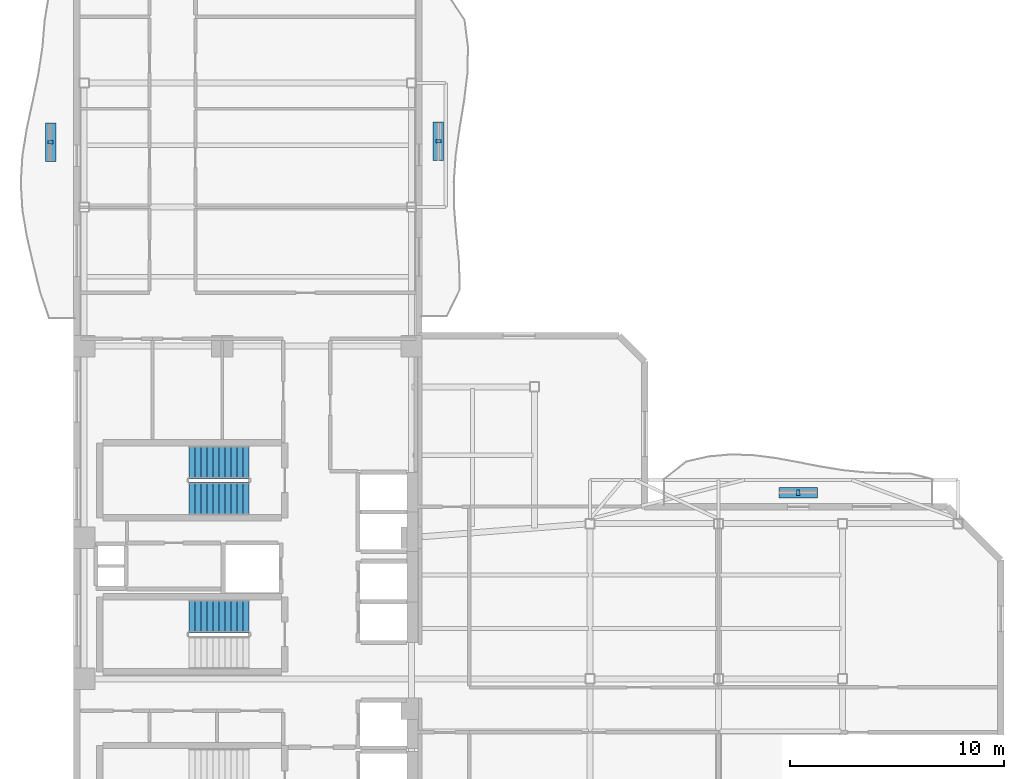
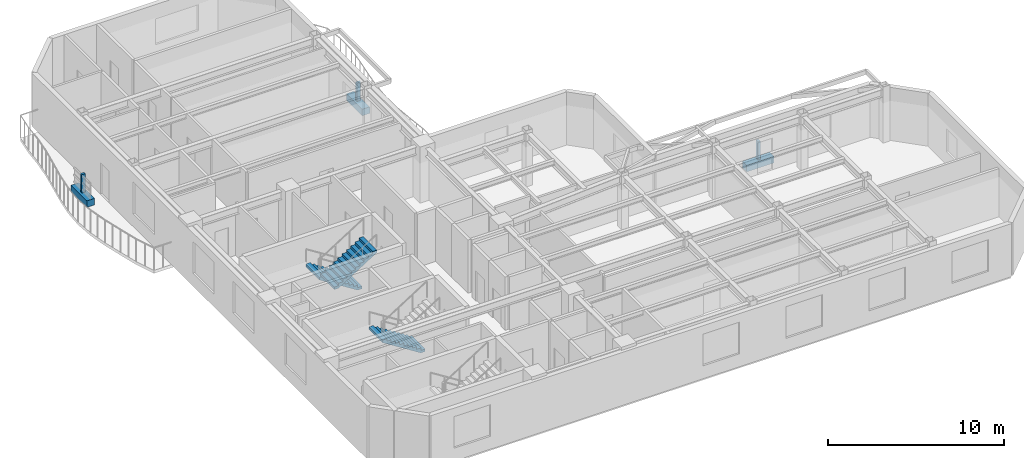
# One storey, part 6 of 8: 6 discrete accessories, 3 stair flights, 2 elements without a shape of their own.
"""IFC4 building model written with IfcOpenShell, lengths in metres."""

from ifc_helpers import new_model, si_unit, direction, frame, origin, origin_2d, place, context, subcontext, project, spatial, polyline, rectangle, outline, extrude, material, type_object, element, aggregate, save


model = new_model("IFC4")

# Units and contexts
model_context = context("Model", 3, precision=1e-05, world=origin(), true_north=direction((0.0, 1.0)))
body_context = subcontext(model_context, "Body", "Model", "MODEL_VIEW")
ifc_project = project(units=[si_unit("LENGTHUNIT", "METRE"), si_unit("AREAUNIT", "SQUARE_METRE"), si_unit("VOLUMEUNIT", "CUBIC_METRE"), si_unit("PLANEANGLEUNIT", "RADIAN"), si_unit("MASSUNIT", "GRAM", prefix="KILO")], contexts=[model_context])

# Site, building, storey
site_placement = place(None, origin())
site = spatial("IfcSite", under=ifc_project, at=site_placement, CompositionType="ELEMENT")
building_placement = place(site_placement, origin())
building = spatial("IfcBuilding", under=site, at=building_placement, Name="Mawjaban Terraces University", CompositionType="ELEMENT")
storey_placement = place(building_placement, frame((0.0, 0.0, 191.39990234375)))
storey = spatial("IfcBuildingStorey", under=building, at=storey_placement, Name="L46", CompositionType="ELEMENT", Elevation=191.39990234375)

# Stair, stair flights
ifc_material_1 = material(Name="Concrete C40/50", Category="concrete")
stair_type = type_object("IfcStairType", Name="Stair_Core1550_H39", PredefinedType="HALF_TURN_STAIR", material=ifc_material_1)
stair_1_placement = place(storey_placement, origin())
stair_1 = element("IfcStair", 1, at=stair_1_placement, inside=storey, type_object=stair_type, Name="L46 Core Exit Stair 2", PredefinedType="HALF_TURN_STAIR")
stair_flight_type = type_object("IfcStairFlightType", Name="Flight_Core1550_H39", PredefinedType="STRAIGHT", material=ifc_material_1)
stair_flight_1_placement = place(storey_placement, frame((30.050048828125, 18.074951171875, 0.0), z_axis=(0.0, 0.0, 1.0), x_axis=(-1.0, 0.0, 0.0)))
stair_flight_1 = element("IfcStairFlight", 2, at=stair_flight_1_placement, type_object=stair_flight_type, Name="ST-2 flight 1", NumberOfRisers=11, NumberOfTreads=10, PredefinedType="STRAIGHT", RiserHeight=0.177272727, TreadLength=0.28, context=body_context, shape_type="SweptSolid", body=[
    extrude(outline(polyline([(0.0, 0.0), (0.0, 0.17724609375), (0.280029296875, 0.17724609375), (0.280029296875, 0.3544921875), (0.56005859375, 0.3544921875), (0.56005859375, 0.53173828125), (0.840087890625, 0.53173828125), (0.840087890625, 0.708984375), (1.1201171875, 0.708984375), (1.1201171875, 0.886474609375), (1.39990234375, 0.886474609375), (1.39990234375, 1.063720703125), (1.679931640625, 1.063720703125), (1.679931640625, 1.240966796875), (1.9599609375, 1.240966796875), (1.9599609375, 1.418212890625), (2.239990234375, 1.418212890625), (2.239990234375, 1.595458984375), (2.52001953125, 1.595458984375), (2.52001953125, 1.772705078125), (2.800048828125, 1.772705078125), (2.800048828125, 1.949951171875), (2.800048828125, 1.59521484375), (0.2802734375, 0.0), (0.0, 0.0)])), frame((0.0, 0.77490234375, 0.0), z_axis=(0.0, -1.0, 0.0), x_axis=(1.0, 0.0, 0.0)), (0.0, 0.0, 1.0), 1.550048828125),
])
stair_flight_2_placement = place(storey_placement, frame((27.25, 16.375, 1.9501953125), z_axis=(0.0, 0.0, 1.0), x_axis=(1.0, 0.0, 0.0)))
stair_flight_2 = element("IfcStairFlight", 3, at=stair_flight_2_placement, type_object=stair_flight_type, Name="ST-2 flight 2", NumberOfRisers=11, NumberOfTreads=10, PredefinedType="STRAIGHT", RiserHeight=0.177272727, TreadLength=0.28, context=body_context, shape_type="SweptSolid", body=[
    extrude(outline(polyline([(0.0, 0.0), (0.0, 0.17724609375), (0.280029296875, 0.17724609375), (0.280029296875, 0.3544921875), (0.56005859375, 0.3544921875), (0.56005859375, 0.53173828125), (0.840087890625, 0.53173828125), (0.840087890625, 0.708984375), (1.1201171875, 0.708984375), (1.1201171875, 0.886474609375), (1.39990234375, 0.886474609375), (1.39990234375, 1.063720703125), (1.679931640625, 1.063720703125), (1.679931640625, 1.240966796875), (1.9599609375, 1.240966796875), (1.9599609375, 1.418212890625), (2.239990234375, 1.418212890625), (2.239990234375, 1.595458984375), (2.52001953125, 1.595458984375), (2.52001953125, 1.772705078125), (2.800048828125, 1.772705078125), (2.800048828125, 1.949951171875), (2.800048828125, 1.59521484375), (0.2802734375, 0.0), (0.0, 0.0)])), frame((0.0, 0.77490234375, 0.0), z_axis=(0.0, -1.0, 0.0), x_axis=(1.0, 0.0, 0.0)), (0.0, 0.0, 1.0), 1.550048828125),
])
aggregate(stair_1, [stair_flight_1, stair_flight_2])

# Stair, stair flight
stair_2_placement = place(storey_placement, origin())
stair_2 = element("IfcStair", 4, at=stair_2_placement, inside=storey, type_object=stair_type, Name="L46 Core Exit Stair 3", PredefinedType="HALF_TURN_STAIR")
stair_flight_3_placement = place(storey_placement, frame((30.050048828125, 10.875, 0.0), z_axis=(0.0, 0.0, 1.0), x_axis=(-1.0, 0.0, 0.0)))
stair_flight_3 = element("IfcStairFlight", 5, at=stair_flight_3_placement, type_object=stair_flight_type, Name="ST-3 flight 1", NumberOfRisers=11, NumberOfTreads=10, PredefinedType="STRAIGHT", RiserHeight=0.177272727, TreadLength=0.28, context=body_context, shape_type="SweptSolid", body=[
    extrude(outline(polyline([(0.0, 0.0), (0.0, 0.17724609375), (0.280029296875, 0.17724609375), (0.280029296875, 0.3544921875), (0.56005859375, 0.3544921875), (0.56005859375, 0.53173828125), (0.840087890625, 0.53173828125), (0.840087890625, 0.708984375), (1.1201171875, 0.708984375), (1.1201171875, 0.886474609375), (1.39990234375, 0.886474609375), (1.39990234375, 1.063720703125), (1.679931640625, 1.063720703125), (1.679931640625, 1.240966796875), (1.9599609375, 1.240966796875), (1.9599609375, 1.418212890625), (2.239990234375, 1.418212890625), (2.239990234375, 1.595458984375), (2.52001953125, 1.595458984375), (2.52001953125, 1.772705078125), (2.800048828125, 1.772705078125), (2.800048828125, 1.949951171875), (2.800048828125, 1.59521484375), (0.2802734375, 0.0), (0.0, 0.0)])), frame((0.0, 0.77490234375, 0.0), z_axis=(0.0, -1.0, 0.0), x_axis=(1.0, 0.0, 0.0)), (0.0, 0.0, 1.0), 1.550048828125),
])
aggregate(stair_2, [stair_flight_3])

# Discrete accessories
ifc_material_2 = material(Name="Stainless steel 316L", Category="steel")
discrete_accessory_type_1 = type_object("IfcDiscreteAccessoryType", Name="FacadeScreenBracket_Steel", PredefinedType="BRACKET", material=ifc_material_2)
for number, where, z_axis, x_axis, name in (
    (6, (20.779052734375, 33.033935546875, 0.419921875), (0.0, 0.0, 1.0), (0.0, 1.0, 0.0), "L46 Balcony Screen Support Bracket west"),
    (7, (55.72509765625, 16.64501953125, 0.419921875), (0.0, 0.0, 1.0), (1.0, 0.0, 0.0), "L46 Balcony Screen Support Bracket inner_north"),
    (8, (38.904052734375, 33.073974609375, 0.419921875), (0.0, 0.0, 1.0), (0.0, 1.0, 0.0), "L46 Balcony Screen Support Bracket inner_east"),
):
    element("IfcDiscreteAccessory", number, at=place(storey_placement, frame(where, z_axis=z_axis, x_axis=x_axis)), inside=storey, type_object=discrete_accessory_type_1, Name=name, PredefinedType="BRACKET", context=body_context, shape_type="SweptSolid", body=[
        extrude(rectangle(XDim=0.159912109375, YDim=0.239990234375, at=origin_2d()), origin(), (0.0, 0.0, 1.0), 1.300048828125),
    ])
ifc_material_3 = material(Name="Precast architectural terracotta planter with engineered planting soil", Category="masonry")
discrete_accessory_type_2 = type_object("IfcDiscreteAccessoryType", Name="IrrigatedPlanterTrough_450", PredefinedType="USERDEFINED", material=ifc_material_3)
for number, where, z_axis, x_axis, name in (
    (9, (20.779052734375, 33.033935546875, -0.0048828125), (0.0, 0.0, 1.0), (0.0, 1.0, 0.0), "L46 Balcony Irrigated Planter west"),
    (10, (55.72509765625, 16.64501953125, -0.0048828125), (0.0, 0.0, 1.0), (1.0, 0.0, 0.0), "L46 Balcony Irrigated Planter inner_north"),
    (11, (38.904052734375, 33.073974609375, -0.0048828125), (0.0, 0.0, 1.0), (0.0, 1.0, 0.0), "L46 Balcony Irrigated Planter inner_east"),
):
    element("IfcDiscreteAccessory", number, at=place(storey_placement, frame(where, z_axis=z_axis, x_axis=x_axis)), inside=storey, type_object=discrete_accessory_type_2, Name=name, ObjectType="PLANTER", PredefinedType="USERDEFINED", context=body_context, shape_type="SweptSolid", body=[
        extrude(rectangle(XDim=1.800048828125, YDim=0.5, at=origin_2d()), origin(), (0.0, 0.0, 1.0), 0.449951171875),
    ])

save(model, "model.ifc")
